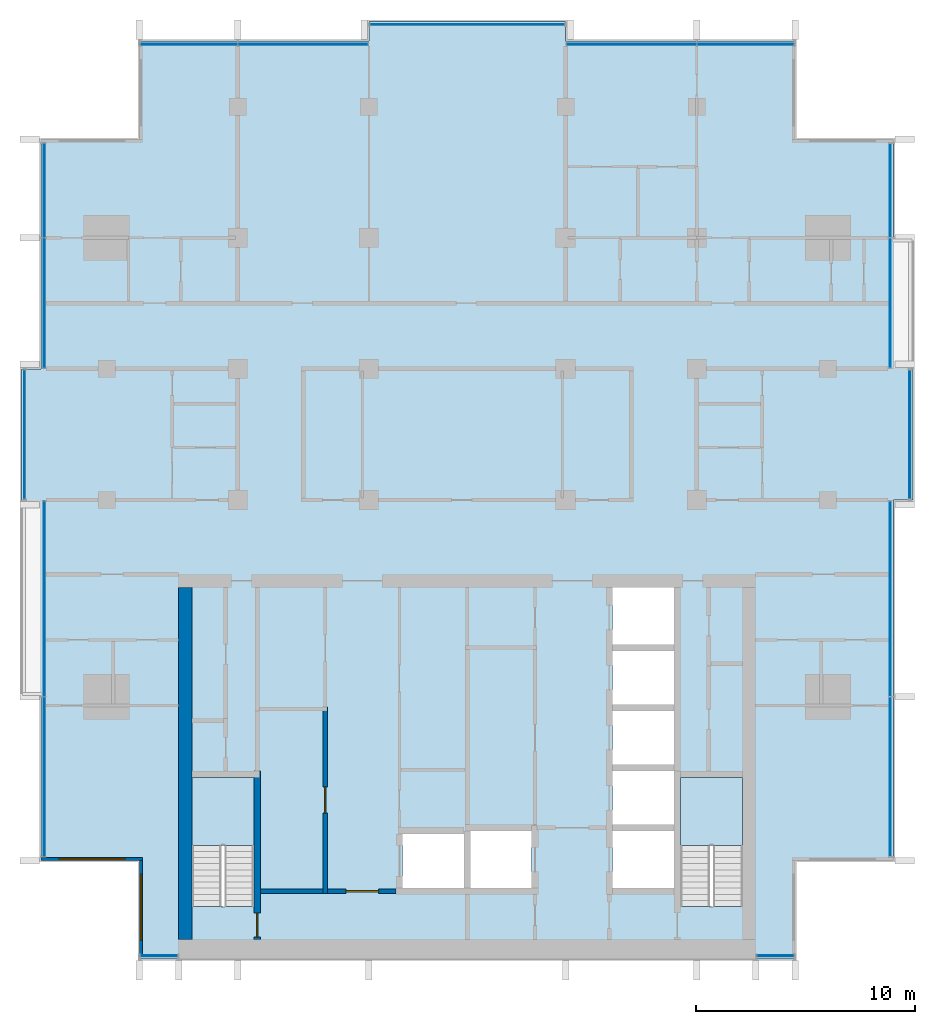
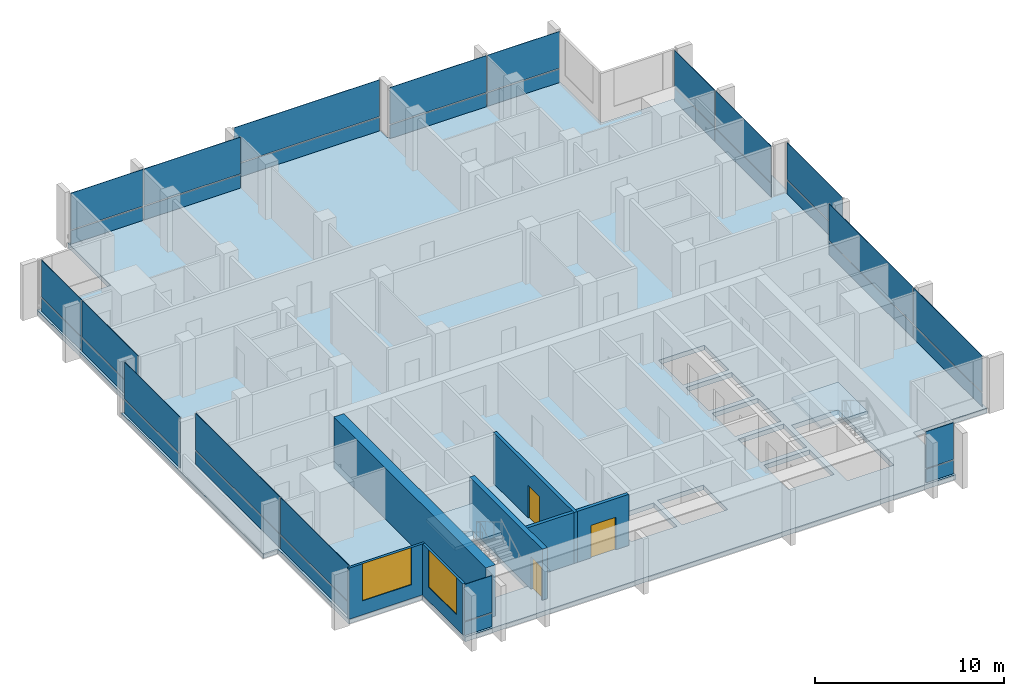
# One storey, part 6 of 16: 34 plates, 7 walls, 3 doors, 3 slabs, 2 windows, 5 openings, 13 elements without a shape of their own.
"""IFC4 building model written with IfcOpenShell, lengths in metres."""

from ifc_helpers import new_model, si_unit, direction, frame, frame_2d, origin, origin_2d, place, context, subcontext, project, spatial, polyline, rectangle, outline, extrude, material, layer, layer_set, type_object, element, fill, aggregate, save


model = new_model("IFC4")

# Units and contexts
model_context = context("Model", 3, precision=1e-05, world=origin(), true_north=direction((0.0, 1.0)))
body_context = subcontext(model_context, "Body", "Model", "MODEL_VIEW")
ifc_project = project(units=[si_unit("LENGTHUNIT", "METRE"), si_unit("AREAUNIT", "SQUARE_METRE"), si_unit("VOLUMEUNIT", "CUBIC_METRE"), si_unit("PLANEANGLEUNIT", "RADIAN"), si_unit("MASSUNIT", "GRAM", prefix="KILO")], contexts=[model_context])

# Site, building, storey
site_placement = place(None, origin())
site = spatial("IfcSite", under=ifc_project, at=site_placement, CompositionType="ELEMENT")
building_placement = place(site_placement, origin())
building = spatial("IfcBuilding", under=site, at=building_placement, Name="Finial Court Residences", CompositionType="ELEMENT")
storey_placement = place(building_placement, frame((0.0, 0.0, 212.300048828125)))
storey = spatial("IfcBuildingStorey", under=building, at=storey_placement, Name="L53", CompositionType="ELEMENT", Elevation=212.300048828125)

# Curtain wall, plates
ifc_material_1 = material(Name="Bronze anodised aluminium", Category="aluminium")
curtain_wall_type = type_object("IfcCurtainWallType", Name="Unitised curtain wall, upper zones", PredefinedType="NOTDEFINED", material=ifc_material_1)
curtain_wall_1_placement = place(storey_placement, origin())
curtain_wall_1 = element("IfcCurtainWall", 1, at=curtain_wall_1_placement, inside=storey, type_object=curtain_wall_type, Name="E-L53-CW-N1", PredefinedType="NOTDEFINED")
ifc_layer_1 = layer(ifc_material_1, 0.035888671875)
ifc_layer_set_1 = layer_set([ifc_layer_1], Name="CW2 spandrel panel 36")
plate_type_1 = type_object("IfcPlateType", Name="CW2 spandrel panel 36", PredefinedType="CURTAIN_PANEL", material=ifc_layer_set_1)
plate_1_placement = place(storey_placement, frame((-12.735107421875, 16.35009765625, 0.0), z_axis=(0.0, 0.0, 1.0), x_axis=(1.0, 0.0, 0.0)))
plate_1 = element("IfcPlate", 2, at=plate_1_placement, type_object=plate_type_1, Name="CW2 spandrel 1.1", PredefinedType="CURTAIN_PANEL", context=body_context, shape_type="SweptSolid", body=[
    extrude(rectangle(XDim=4.409912109375, YDim=0.035888671875, at=origin_2d()), origin(), (0.0, 0.0, 1.0), 0.8701171875),
])
plate_2_placement = place(storey_placement, frame((-7.514892578125, 16.35009765625, 0.0), z_axis=(0.0, 0.0, 1.0), x_axis=(1.0, 0.0, 0.0)))
plate_2 = element("IfcPlate", 3, at=plate_2_placement, type_object=plate_type_1, Name="CW2 spandrel 2.1", PredefinedType="CURTAIN_PANEL", context=body_context, shape_type="SweptSolid", body=[
    extrude(rectangle(XDim=5.909912109375, YDim=0.035888671875, at=origin_2d()), origin(), (0.0, 0.0, 1.0), 0.8701171875),
])

# Curtain wall, plate
curtain_wall_2_placement = place(storey_placement, origin())
curtain_wall_2 = element("IfcCurtainWall", 4, at=curtain_wall_2_placement, inside=storey, type_object=curtain_wall_type, Name="E-L53-CW-N2", PredefinedType="NOTDEFINED")
plate_3_placement = place(storey_placement, frame((0.0, 17.25, 0.0), z_axis=(0.0, 0.0, 1.0), x_axis=(1.0, 0.0, 0.0)))
plate_3 = element("IfcPlate", 5, at=plate_3_placement, type_object=plate_type_1, Name="CW2 spandrel 1.1", PredefinedType="CURTAIN_PANEL", context=body_context, shape_type="SweptSolid", body=[
    extrude(rectangle(XDim=8.8798828125, YDim=0.035888671875, at=origin_2d()), origin(), (0.0, 0.0, 1.0), 0.8701171875),
])

# Curtain wall, plates
curtain_wall_3_placement = place(storey_placement, origin())
curtain_wall_3 = element("IfcCurtainWall", 6, at=curtain_wall_3_placement, inside=storey, type_object=curtain_wall_type, Name="E-L53-CW-N3", PredefinedType="NOTDEFINED")
plate_4_placement = place(storey_placement, frame((7.514892578125, 16.35009765625, 0.0), z_axis=(0.0, 0.0, 1.0), x_axis=(1.0, 0.0, 0.0)))
plate_4 = element("IfcPlate", 7, at=plate_4_placement, type_object=plate_type_1, Name="CW2 spandrel 1.1", PredefinedType="CURTAIN_PANEL", context=body_context, shape_type="SweptSolid", body=[
    extrude(rectangle(XDim=5.909912109375, YDim=0.035888671875, at=origin_2d()), origin(), (0.0, 0.0, 1.0), 0.8701171875),
])
plate_5_placement = place(storey_placement, frame((12.735107421875, 16.35009765625, 0.0), z_axis=(0.0, 0.0, 1.0), x_axis=(1.0, 0.0, 0.0)))
plate_5 = element("IfcPlate", 8, at=plate_5_placement, type_object=plate_type_1, Name="CW2 spandrel 2.1", PredefinedType="CURTAIN_PANEL", context=body_context, shape_type="SweptSolid", body=[
    extrude(rectangle(XDim=4.409912109375, YDim=0.035888671875, at=origin_2d()), origin(), (0.0, 0.0, 1.0), 0.8701171875),
])

curtain_wall_4_placement = place(storey_placement, origin())
curtain_wall_4 = element("IfcCurtainWall", 9, at=curtain_wall_4_placement, inside=storey, type_object=curtain_wall_type, Name="E-L53-CW-E4", PredefinedType="NOTDEFINED")
plate_6_placement = place(storey_placement, frame((19.35009765625, -17.159912109375, 0.0), z_axis=(0.0, 0.0, 1.0), x_axis=(0.0, 1.0, 0.0)))
plate_6 = element("IfcPlate", 10, at=plate_6_placement, type_object=plate_type_1, Name="CW2 spandrel 1.1", PredefinedType="CURTAIN_PANEL", context=body_context, shape_type="SweptSolid", body=[
    extrude(rectangle(XDim=7.260009765625, YDim=0.035888671875, at=origin_2d()), origin(), (0.0, 0.0, 1.0), 0.8701171875),
])
plate_7_placement = place(storey_placement, frame((19.35009765625, -9.014892578125, 0.0), z_axis=(0.0, 0.0, 1.0), x_axis=(0.0, 1.0, 0.0)))
plate_7 = element("IfcPlate", 11, at=plate_7_placement, type_object=plate_type_1, Name="CW2 spandrel 2.1", PredefinedType="CURTAIN_PANEL", context=body_context, shape_type="SweptSolid", body=[
    extrude(rectangle(XDim=8.909912109375, YDim=0.035888671875, at=origin_2d()), origin(), (0.0, 0.0, 1.0), 0.8701171875),
])

# Curtain wall, plate
curtain_wall_5_placement = place(storey_placement, origin())
curtain_wall_5 = element("IfcCurtainWall", 12, at=curtain_wall_5_placement, inside=storey, type_object=curtain_wall_type, Name="E-L53-CW-E5", PredefinedType="NOTDEFINED")
plate_8_placement = place(storey_placement, frame((20.25, -1.5, 0.0), z_axis=(0.0, 0.0, 1.0), x_axis=(0.0, 1.0, 0.0)))
plate_8 = element("IfcPlate", 13, at=plate_8_placement, type_object=plate_type_1, Name="CW2 spandrel 1.1", PredefinedType="CURTAIN_PANEL", context=body_context, shape_type="SweptSolid", body=[
    extrude(rectangle(XDim=5.8798828125, YDim=0.035888671875, at=origin_2d()), origin(), (0.0, 0.0, 1.0), 0.8701171875),
])

# Curtain wall, plates
curtain_wall_6_placement = place(storey_placement, origin())
curtain_wall_6 = element("IfcCurtainWall", 14, at=curtain_wall_6_placement, inside=storey, type_object=curtain_wall_type, Name="E-L53-CW-E6", PredefinedType="NOTDEFINED")
plate_9_placement = place(storey_placement, frame((19.35009765625, 4.514892578125, 0.0), z_axis=(0.0, 0.0, 1.0), x_axis=(0.0, 1.0, 0.0)))
plate_9 = element("IfcPlate", 15, at=plate_9_placement, type_object=plate_type_1, Name="CW2 spandrel 1.1", PredefinedType="CURTAIN_PANEL", context=body_context, shape_type="SweptSolid", body=[
    extrude(rectangle(XDim=5.909912109375, YDim=0.035888671875, at=origin_2d()), origin(), (0.0, 0.0, 1.0), 0.8701171875),
])
plate_10_placement = place(storey_placement, frame((19.35009765625, 9.659912109375, 0.0), z_axis=(0.0, 0.0, 1.0), x_axis=(0.0, 1.0, 0.0)))
plate_10 = element("IfcPlate", 16, at=plate_10_placement, type_object=plate_type_1, Name="CW2 spandrel 2.1", PredefinedType="CURTAIN_PANEL", context=body_context, shape_type="SweptSolid", body=[
    extrude(rectangle(XDim=4.260009765625, YDim=0.035888671875, at=origin_2d()), origin(), (0.0, 0.0, 1.0), 0.8701171875),
])

# Curtain wall, plate
curtain_wall_7_placement = place(storey_placement, origin())
curtain_wall_7 = element("IfcCurtainWall", 17, at=curtain_wall_7_placement, inside=storey, type_object=curtain_wall_type, Name="E-L53-CW-S7", PredefinedType="NOTDEFINED")
plate_11_placement = place(storey_placement, frame((-14.10009765625, -25.35009765625, 0.0), z_axis=(0.0, 0.0, 1.0), x_axis=(1.0, 0.0, 0.0)))
plate_11 = element("IfcPlate", 18, at=plate_11_placement, type_object=plate_type_1, Name="CW2 spandrel 1.1", PredefinedType="CURTAIN_PANEL", context=body_context, shape_type="SweptSolid", body=[
    extrude(rectangle(XDim=1.679931640625, YDim=0.035888671875, at=origin_2d()), origin(), (0.0, 0.0, 1.0), 0.8701171875),
])

curtain_wall_8_placement = place(storey_placement, origin())
curtain_wall_8 = element("IfcCurtainWall", 19, at=curtain_wall_8_placement, inside=storey, type_object=curtain_wall_type, Name="E-L53-CW-S8", PredefinedType="NOTDEFINED")
plate_12_placement = place(storey_placement, frame((14.10009765625, -25.35009765625, 0.0), z_axis=(0.0, 0.0, 1.0), x_axis=(1.0, 0.0, 0.0)))
plate_12 = element("IfcPlate", 20, at=plate_12_placement, type_object=plate_type_1, Name="CW2 spandrel 1.1", PredefinedType="CURTAIN_PANEL", context=body_context, shape_type="SweptSolid", body=[
    extrude(rectangle(XDim=1.679931640625, YDim=0.035888671875, at=origin_2d()), origin(), (0.0, 0.0, 1.0), 0.8701171875),
])

# Curtain wall, plates
curtain_wall_9_placement = place(storey_placement, origin())
curtain_wall_9 = element("IfcCurtainWall", 21, at=curtain_wall_9_placement, inside=storey, type_object=curtain_wall_type, Name="E-L53-CW-W9", PredefinedType="NOTDEFINED")
plate_13_placement = place(storey_placement, frame((-19.35009765625, -17.159912109375, 0.0), z_axis=(0.0, 0.0, 1.0), x_axis=(0.0, 1.0, 0.0)))
plate_13 = element("IfcPlate", 22, at=plate_13_placement, type_object=plate_type_1, Name="CW2 spandrel 1.1", PredefinedType="CURTAIN_PANEL", context=body_context, shape_type="SweptSolid", body=[
    extrude(rectangle(XDim=7.260009765625, YDim=0.035888671875, at=origin_2d()), origin(), (0.0, 0.0, 1.0), 0.8701171875),
])
plate_14_placement = place(storey_placement, frame((-19.35009765625, -9.014892578125, 0.0), z_axis=(0.0, 0.0, 1.0), x_axis=(0.0, 1.0, 0.0)))
plate_14 = element("IfcPlate", 23, at=plate_14_placement, type_object=plate_type_1, Name="CW2 spandrel 2.1", PredefinedType="CURTAIN_PANEL", context=body_context, shape_type="SweptSolid", body=[
    extrude(rectangle(XDim=8.909912109375, YDim=0.035888671875, at=origin_2d()), origin(), (0.0, 0.0, 1.0), 0.8701171875),
])

# Curtain wall, plate
curtain_wall_10_placement = place(storey_placement, origin())
curtain_wall_10 = element("IfcCurtainWall", 24, at=curtain_wall_10_placement, inside=storey, type_object=curtain_wall_type, Name="E-L53-CW-W10", PredefinedType="NOTDEFINED")
plate_15_placement = place(storey_placement, frame((-20.25, -1.5, 0.0), z_axis=(0.0, 0.0, 1.0), x_axis=(0.0, 1.0, 0.0)))
plate_15 = element("IfcPlate", 25, at=plate_15_placement, type_object=plate_type_1, Name="CW2 spandrel 1.1", PredefinedType="CURTAIN_PANEL", context=body_context, shape_type="SweptSolid", body=[
    extrude(rectangle(XDim=5.8798828125, YDim=0.035888671875, at=origin_2d()), origin(), (0.0, 0.0, 1.0), 0.8701171875),
])

# Curtain wall, plates
curtain_wall_11_placement = place(storey_placement, origin())
curtain_wall_11 = element("IfcCurtainWall", 26, at=curtain_wall_11_placement, inside=storey, type_object=curtain_wall_type, Name="E-L53-CW-W11", PredefinedType="NOTDEFINED")
plate_16_placement = place(storey_placement, frame((-19.35009765625, 4.514892578125, 0.0), z_axis=(0.0, 0.0, 1.0), x_axis=(0.0, 1.0, 0.0)))
plate_16 = element("IfcPlate", 27, at=plate_16_placement, type_object=plate_type_1, Name="CW2 spandrel 1.1", PredefinedType="CURTAIN_PANEL", context=body_context, shape_type="SweptSolid", body=[
    extrude(rectangle(XDim=5.909912109375, YDim=0.035888671875, at=origin_2d()), origin(), (0.0, 0.0, 1.0), 0.8701171875),
])
plate_17_placement = place(storey_placement, frame((-19.35009765625, 9.659912109375, 0.0), z_axis=(0.0, 0.0, 1.0), x_axis=(0.0, 1.0, 0.0)))
plate_17 = element("IfcPlate", 28, at=plate_17_placement, type_object=plate_type_1, Name="CW2 spandrel 2.1", PredefinedType="CURTAIN_PANEL", context=body_context, shape_type="SweptSolid", body=[
    extrude(rectangle(XDim=4.260009765625, YDim=0.035888671875, at=origin_2d()), origin(), (0.0, 0.0, 1.0), 0.8701171875),
])

# Plate
ifc_material_2 = material(Name="Clear low-e glass", Category="glass")
ifc_layer_2 = layer(ifc_material_2, 0.030029296875)
ifc_layer_set_2 = layer_set([ifc_layer_2], Name="CW2 vision glass 30")
plate_type_2 = type_object("IfcPlateType", Name="CW2 vision glass 30", PredefinedType="CURTAIN_PANEL", material=ifc_layer_set_2)
plate_18_placement = place(storey_placement, frame((-12.735107421875, 16.35009765625, 0.929931640625), z_axis=(0.0, 0.0, 1.0), x_axis=(1.0, 0.0, 0.0)))
plate_18 = element("IfcPlate", 29, at=plate_18_placement, type_object=plate_type_2, Name="CW2 glass 1.2", PredefinedType="CURTAIN_PANEL", context=body_context, shape_type="SweptSolid", body=[
    extrude(rectangle(XDim=4.409912109375, YDim=0.030029296875, at=origin_2d()), origin(), (0.0, 0.0, 1.0), 2.3701171875),
])

plate_19_placement = place(storey_placement, frame((-7.514892578125, 16.35009765625, 0.929931640625), z_axis=(0.0, 0.0, 1.0), x_axis=(1.0, 0.0, 0.0)))
plate_19 = element("IfcPlate", 30, at=plate_19_placement, type_object=plate_type_2, Name="CW2 glass 2.2", PredefinedType="CURTAIN_PANEL", context=body_context, shape_type="SweptSolid", body=[
    extrude(rectangle(XDim=5.909912109375, YDim=0.030029296875, at=origin_2d()), origin(), (0.0, 0.0, 1.0), 2.3701171875),
])

aggregate(curtain_wall_1, [plate_1, plate_18, plate_2, plate_19])

plate_20_placement = place(storey_placement, frame((0.0, 17.25, 0.929931640625), z_axis=(0.0, 0.0, 1.0), x_axis=(1.0, 0.0, 0.0)))
plate_20 = element("IfcPlate", 31, at=plate_20_placement, type_object=plate_type_2, Name="CW2 glass 1.2", PredefinedType="CURTAIN_PANEL", context=body_context, shape_type="SweptSolid", body=[
    extrude(rectangle(XDim=8.8798828125, YDim=0.030029296875, at=origin_2d()), origin(), (0.0, 0.0, 1.0), 2.3701171875),
])

aggregate(curtain_wall_2, [plate_3, plate_20])

plate_21_placement = place(storey_placement, frame((7.514892578125, 16.35009765625, 0.929931640625), z_axis=(0.0, 0.0, 1.0), x_axis=(1.0, 0.0, 0.0)))
plate_21 = element("IfcPlate", 32, at=plate_21_placement, type_object=plate_type_2, Name="CW2 glass 1.2", PredefinedType="CURTAIN_PANEL", context=body_context, shape_type="SweptSolid", body=[
    extrude(rectangle(XDim=5.909912109375, YDim=0.030029296875, at=origin_2d()), origin(), (0.0, 0.0, 1.0), 2.3701171875),
])

plate_22_placement = place(storey_placement, frame((12.735107421875, 16.35009765625, 0.929931640625), z_axis=(0.0, 0.0, 1.0), x_axis=(1.0, 0.0, 0.0)))
plate_22 = element("IfcPlate", 33, at=plate_22_placement, type_object=plate_type_2, Name="CW2 glass 2.2", PredefinedType="CURTAIN_PANEL", context=body_context, shape_type="SweptSolid", body=[
    extrude(rectangle(XDim=4.409912109375, YDim=0.030029296875, at=origin_2d()), origin(), (0.0, 0.0, 1.0), 2.3701171875),
])

aggregate(curtain_wall_3, [plate_4, plate_21, plate_5, plate_22])

plate_23_placement = place(storey_placement, frame((19.35009765625, -17.159912109375, 0.929931640625), z_axis=(0.0, 0.0, 1.0), x_axis=(0.0, 1.0, 0.0)))
plate_23 = element("IfcPlate", 34, at=plate_23_placement, type_object=plate_type_2, Name="CW2 glass 1.2", PredefinedType="CURTAIN_PANEL", context=body_context, shape_type="SweptSolid", body=[
    extrude(rectangle(XDim=7.260009765625, YDim=0.030029296875, at=origin_2d()), origin(), (0.0, 0.0, 1.0), 2.3701171875),
])

plate_24_placement = place(storey_placement, frame((19.35009765625, -9.014892578125, 0.929931640625), z_axis=(0.0, 0.0, 1.0), x_axis=(0.0, 1.0, 0.0)))
plate_24 = element("IfcPlate", 35, at=plate_24_placement, type_object=plate_type_2, Name="CW2 glass 2.2", PredefinedType="CURTAIN_PANEL", context=body_context, shape_type="SweptSolid", body=[
    extrude(rectangle(XDim=8.909912109375, YDim=0.030029296875, at=origin_2d()), origin(), (0.0, 0.0, 1.0), 2.3701171875),
])

aggregate(curtain_wall_4, [plate_6, plate_23, plate_7, plate_24])

plate_25_placement = place(storey_placement, frame((20.25, -1.5, 0.929931640625), z_axis=(0.0, 0.0, 1.0), x_axis=(0.0, 1.0, 0.0)))
plate_25 = element("IfcPlate", 36, at=plate_25_placement, type_object=plate_type_2, Name="CW2 glass 1.2", PredefinedType="CURTAIN_PANEL", context=body_context, shape_type="SweptSolid", body=[
    extrude(rectangle(XDim=5.8798828125, YDim=0.030029296875, at=origin_2d()), origin(), (0.0, 0.0, 1.0), 2.3701171875),
])

aggregate(curtain_wall_5, [plate_8, plate_25])

plate_26_placement = place(storey_placement, frame((19.35009765625, 4.514892578125, 0.929931640625), z_axis=(0.0, 0.0, 1.0), x_axis=(0.0, 1.0, 0.0)))
plate_26 = element("IfcPlate", 37, at=plate_26_placement, type_object=plate_type_2, Name="CW2 glass 1.2", PredefinedType="CURTAIN_PANEL", context=body_context, shape_type="SweptSolid", body=[
    extrude(rectangle(XDim=5.909912109375, YDim=0.030029296875, at=origin_2d()), origin(), (0.0, 0.0, 1.0), 2.3701171875),
])

plate_27_placement = place(storey_placement, frame((19.35009765625, 9.659912109375, 0.929931640625), z_axis=(0.0, 0.0, 1.0), x_axis=(0.0, 1.0, 0.0)))
plate_27 = element("IfcPlate", 38, at=plate_27_placement, type_object=plate_type_2, Name="CW2 glass 2.2", PredefinedType="CURTAIN_PANEL", context=body_context, shape_type="SweptSolid", body=[
    extrude(rectangle(XDim=4.260009765625, YDim=0.030029296875, at=origin_2d()), origin(), (0.0, 0.0, 1.0), 2.3701171875),
])

aggregate(curtain_wall_6, [plate_9, plate_26, plate_10, plate_27])

plate_28_placement = place(storey_placement, frame((-14.10009765625, -25.35009765625, 0.929931640625), z_axis=(0.0, 0.0, 1.0), x_axis=(1.0, 0.0, 0.0)))
plate_28 = element("IfcPlate", 39, at=plate_28_placement, type_object=plate_type_2, Name="CW2 glass 1.2", PredefinedType="CURTAIN_PANEL", context=body_context, shape_type="SweptSolid", body=[
    extrude(rectangle(XDim=1.679931640625, YDim=0.030029296875, at=origin_2d()), origin(), (0.0, 0.0, 1.0), 2.3701171875),
])

aggregate(curtain_wall_7, [plate_11, plate_28])

plate_29_placement = place(storey_placement, frame((14.10009765625, -25.35009765625, 0.929931640625), z_axis=(0.0, 0.0, 1.0), x_axis=(1.0, 0.0, 0.0)))
plate_29 = element("IfcPlate", 40, at=plate_29_placement, type_object=plate_type_2, Name="CW2 glass 1.2", PredefinedType="CURTAIN_PANEL", context=body_context, shape_type="SweptSolid", body=[
    extrude(rectangle(XDim=1.679931640625, YDim=0.030029296875, at=origin_2d()), origin(), (0.0, 0.0, 1.0), 2.3701171875),
])

aggregate(curtain_wall_8, [plate_12, plate_29])

plate_30_placement = place(storey_placement, frame((-19.35009765625, -17.159912109375, 0.929931640625), z_axis=(0.0, 0.0, 1.0), x_axis=(0.0, 1.0, 0.0)))
plate_30 = element("IfcPlate", 41, at=plate_30_placement, type_object=plate_type_2, Name="CW2 glass 1.2", PredefinedType="CURTAIN_PANEL", context=body_context, shape_type="SweptSolid", body=[
    extrude(rectangle(XDim=7.260009765625, YDim=0.030029296875, at=origin_2d()), origin(), (0.0, 0.0, 1.0), 2.3701171875),
])

plate_31_placement = place(storey_placement, frame((-19.35009765625, -9.014892578125, 0.929931640625), z_axis=(0.0, 0.0, 1.0), x_axis=(0.0, 1.0, 0.0)))
plate_31 = element("IfcPlate", 42, at=plate_31_placement, type_object=plate_type_2, Name="CW2 glass 2.2", PredefinedType="CURTAIN_PANEL", context=body_context, shape_type="SweptSolid", body=[
    extrude(rectangle(XDim=8.909912109375, YDim=0.030029296875, at=origin_2d()), origin(), (0.0, 0.0, 1.0), 2.3701171875),
])

aggregate(curtain_wall_9, [plate_13, plate_30, plate_14, plate_31])

plate_32_placement = place(storey_placement, frame((-20.25, -1.5, 0.929931640625), z_axis=(0.0, 0.0, 1.0), x_axis=(0.0, 1.0, 0.0)))
plate_32 = element("IfcPlate", 43, at=plate_32_placement, type_object=plate_type_2, Name="CW2 glass 1.2", PredefinedType="CURTAIN_PANEL", context=body_context, shape_type="SweptSolid", body=[
    extrude(rectangle(XDim=5.8798828125, YDim=0.030029296875, at=origin_2d()), origin(), (0.0, 0.0, 1.0), 2.3701171875),
])

aggregate(curtain_wall_10, [plate_15, plate_32])

plate_33_placement = place(storey_placement, frame((-19.35009765625, 4.514892578125, 0.929931640625), z_axis=(0.0, 0.0, 1.0), x_axis=(0.0, 1.0, 0.0)))
plate_33 = element("IfcPlate", 44, at=plate_33_placement, type_object=plate_type_2, Name="CW2 glass 1.2", PredefinedType="CURTAIN_PANEL", context=body_context, shape_type="SweptSolid", body=[
    extrude(rectangle(XDim=5.909912109375, YDim=0.030029296875, at=origin_2d()), origin(), (0.0, 0.0, 1.0), 2.3701171875),
])

plate_34_placement = place(storey_placement, frame((-19.35009765625, 9.659912109375, 0.929931640625), z_axis=(0.0, 0.0, 1.0), x_axis=(0.0, 1.0, 0.0)))
plate_34 = element("IfcPlate", 45, at=plate_34_placement, type_object=plate_type_2, Name="CW2 glass 2.2", PredefinedType="CURTAIN_PANEL", context=body_context, shape_type="SweptSolid", body=[
    extrude(rectangle(XDim=4.260009765625, YDim=0.030029296875, at=origin_2d()), origin(), (0.0, 0.0, 1.0), 2.3701171875),
])

aggregate(curtain_wall_11, [plate_16, plate_33, plate_17, plate_34])

# Stair, slab
ifc_material_3 = material(Name="Concrete C50/60", Category="concrete")
stair_type = type_object("IfcStairType", Name="Exit stair 22 risers of 163.6 mm", PredefinedType="HALF_TURN_STAIR", material=ifc_material_3)
stair_1_placement = place(storey_placement, origin())
stair_1 = element("IfcStair", 46, at=stair_1_placement, inside=storey, type_object=stair_type, Name="L53 Exit stair ST-1", PredefinedType="HALF_TURN_STAIR")
ifc_layer_3 = layer(ifc_material_3, 0.199951171875)
ifc_layer_set_3 = layer_set([ifc_layer_3], Name="Exit stair landing")
slab_type_1 = type_object("IfcSlabType", Name="Exit stair landing", PredefinedType="LANDING", material=ifc_layer_set_3)
slab_1_placement = place(storey_placement, frame((0.0, 0.0, 1.599853515625)))
slab_1 = element("IfcSlab", 47, at=slab_1_placement, type_object=slab_type_1, Name="ST-1 landing 1", PredefinedType="LANDING", context=body_context, shape_type="SweptSolid", body=[
    extrude(outline(polyline([(-9.75, -20.300048828125), (-9.75, -17.199951171875), (-12.60009765625, -17.199951171875), (-12.60009765625, -20.300048828125), (-9.75, -20.300048828125)])), origin(), (0.0, 0.0, 1.0), 0.2001953125),
])
aggregate(stair_1, [slab_1])

stair_2_placement = place(storey_placement, origin())
stair_2 = element("IfcStair", 48, at=stair_2_placement, inside=storey, type_object=stair_type, Name="L53 Exit stair ST-2", PredefinedType="HALF_TURN_STAIR")
slab_2_placement = place(storey_placement, frame((0.0, 0.0, 1.599853515625)))
slab_2 = element("IfcSlab", 49, at=slab_2_placement, type_object=slab_type_1, Name="ST-2 landing 1", PredefinedType="LANDING", context=body_context, shape_type="SweptSolid", body=[
    extrude(outline(polyline([(12.60009765625, -20.300048828125), (12.60009765625, -17.199951171875), (9.75, -17.199951171875), (9.75, -20.300048828125), (12.60009765625, -20.300048828125)])), origin(), (0.0, 0.0, 1.0), 0.2001953125),
])
aggregate(stair_2, [slab_2])

# Slab
ifc_material_4 = material(Name="Concrete C40/50", Category="concrete")
ifc_layer_4 = layer(ifc_material_4, 0.300048828125)
ifc_layer_set_4 = layer_set([ifc_layer_4], Name="Flat plate slab 300 Concrete C40/50")
slab_type_2 = type_object("IfcSlabType", Name="Flat plate slab 300 Concrete C40/50", PredefinedType="FLOOR", material=ifc_layer_set_4)
slab_3_placement = place(storey_placement, frame((0.0, 0.0, -0.300048828125)))
element("IfcSlab", 50, at=slab_3_placement, inside=storey, type_object=slab_type_2, Name="S:SLAB:L53", PredefinedType="FLOOR", context=body_context, shape_type="SweptSolid", body=[
    extrude(outline(polyline([(-20.39990234375, -13.5), (-20.39990234375, -4.5), (-20.39990234375, 1.5), (-19.5, 1.5), (-19.5, 12.0), (-15.0, 12.0), (-15.0, 16.5), (-4.5, 16.5), (-4.5, 17.39990234375), (4.5, 17.39990234375), (4.5, 16.5), (15.0, 16.5), (15.0, 12.0), (19.5, 12.0), (19.5, 7.5), (20.39990234375, 7.5), (20.39990234375, 1.5), (20.39990234375, -4.5), (19.5, -4.5), (19.5, -21.0), (15.0, -21.0), (15.0, -25.5), (-15.0, -25.5), (-15.0, -21.0), (-19.5, -21.0), (-19.5, -13.5), (-20.39990234375, -13.5)]), holes=[polyline([(-0.14990234375, -19.77001953125), (-2.949951171875, -19.77001953125), (-2.949951171875, -22.25), (-0.14990234375, -22.25), (-0.14990234375, -19.77001953125)]), polyline([(2.949951171875, -19.64990234375), (0.14990234375, -19.64990234375), (0.14990234375, -22.25), (2.949951171875, -22.25), (2.949951171875, -19.64990234375)]), polyline([(9.449951171875, -19.64990234375), (6.64990234375, -19.64990234375), (6.64990234375, -22.25), (9.449951171875, -22.25), (9.449951171875, -19.64990234375)]), polyline([(-12.60009765625, -17.199951171875), (-12.60009765625, -23.09912109375), (-9.75, -23.09912109375), (-9.75, -17.199951171875), (-12.60009765625, -17.199951171875)]), polyline([(9.75, -17.199951171875), (9.75, -23.09912109375), (12.60009765625, -23.09912109375), (12.60009765625, -17.199951171875), (9.75, -17.199951171875)]), polyline([(9.449951171875, -16.89990234375), (6.64990234375, -16.89990234375), (6.64990234375, -19.35009765625), (9.449951171875, -19.35009765625), (9.449951171875, -16.89990234375)]), polyline([(9.449951171875, -14.14990234375), (6.64990234375, -14.14990234375), (6.64990234375, -16.60009765625), (9.449951171875, -16.60009765625), (9.449951171875, -14.14990234375)]), polyline([(9.449951171875, -13.85009765625), (9.449951171875, -11.39990234375), (6.64990234375, -11.39990234375), (6.64990234375, -13.85009765625), (9.449951171875, -13.85009765625)]), polyline([(9.449951171875, -11.10009765625), (9.449951171875, -8.5), (6.64990234375, -8.5), (6.64990234375, -11.10009765625), (9.449951171875, -11.10009765625)])]), origin(), (0.0, 0.0, 1.0), 0.300048828125),
])

# Wall
ifc_material_5 = material(Name="Concrete C60/75", Category="concrete")
ifc_layer_5 = layer(ifc_material_5, 0.60009765625)
ifc_layer_set_5 = layer_set([ifc_layer_5], Name="Core outer wall 600 Concrete C60/75")
wall_type_1 = type_object("IfcWallType", Name="Core outer wall 600 Concrete C60/75", PredefinedType="SHEAR", material=ifc_layer_set_5)
wall_1_placement = place(storey_placement, frame((-12.89990234375, -24.60009765625, 0.0), z_axis=(0.0, 0.0, 1.0), x_axis=(0.0, 1.0, 0.0)))
element("IfcWall", 51, at=wall_1_placement, inside=storey, type_object=wall_type_1, Name="Core outer wall L53-03", PredefinedType="SHEAR", context=body_context, shape_type="SweptSolid", body=[
    extrude(rectangle(XDim=16.10009765625, YDim=0.60009765625, at=frame_2d((8.050048828125, 0.0))), origin(), (0.0, 0.0, 1.0), 3.300048828125),
])

# Wall, opening, door
ifc_layer_6 = layer(ifc_material_5, 0.300048828125)
ifc_layer_set_6 = layer_set([ifc_layer_6], Name="Lift shaft and stair wall 300 Concrete C60/75")
wall_type_2 = type_object("IfcWallType", Name="Lift shaft and stair wall 300 Concrete C60/75", PredefinedType="SHEAR", material=ifc_layer_set_6)
wall_2_placement = place(storey_placement, frame((-9.60009765625, -24.60009765625, 0.0), z_axis=(0.0, 0.0, 1.0), x_axis=(0.0, 1.0, 0.0)))
wall_2 = element("IfcWall", 52, at=wall_2_placement, inside=storey, type_object=wall_type_2, Name="Core wall L53-21", PredefinedType="SHEAR", context=body_context, shape_type="SweptSolid", body=[
    extrude(rectangle(XDim=7.7001953125, YDim=0.300048828125, at=frame_2d((3.85009765625, 0.0))), origin(), (0.0, 0.0, 1.0), 3.300048828125),
])
opening_1_placement = place(wall_2_placement, frame((0.10009765625, 0.0, 0.0)))
opening_1 = element("IfcOpeningElement", 53, at=opening_1_placement, cuts=wall_2, Name="Opening L53-C19", PredefinedType="OPENING", context=body_context, shape_type="SweptSolid", body=[
    extrude(rectangle(XDim=1.10009765625, YDim=2.10009765625, at=frame_2d((0.550048828125, 1.050048828125))), frame((0.0, 0.159912109375, 0.0), z_axis=(0.0, -1.0, 0.0), x_axis=(1.0, 0.0, 0.0)), (0.0, 0.0, 1.0), 0.320068359375),
])
ifc_material_6 = material(Name="Steel fire door", Category="steel")
door_type_1 = type_object("IfcDoorType", Name="Stair door 1100 x 2100 EI 90", OperationType="NOTDEFINED", PredefinedType="DOOR", material=ifc_material_6)
door_1_placement = place(opening_1_placement, origin())
door_1 = element("IfcDoor", 54, at=door_1_placement, inside=storey, type_object=door_type_1, Name="Stair door L53-C19", OperationType="SINGLE_SWING_LEFT", OverallHeight=2.10009765625, OverallWidth=1.10009765625, PredefinedType="DOOR", context=body_context, shape_type="SweptSolid", body=[
    extrude(rectangle(XDim=1.10009765625, YDim=2.10009765625, at=frame_2d((0.550048828125, 1.050048828125))), frame((0.0, 0.02490234375, 0.0), z_axis=(0.0, -1.0, 0.0), x_axis=(1.0, 0.0, 0.0)), (0.0, 0.0, 1.0), 0.050048828125),
])
fill(opening_1, door_1)

# Wall, opening, window
ifc_material_7 = material(Name="Natural limestone", Category="masonry")
ifc_layer_7 = layer(ifc_material_7, 0.14990234375)
ifc_layer_set_7 = layer_set([ifc_layer_7], Name="Limestone clad wall 150")
wall_type_3 = type_object("IfcWallType", Name="Limestone clad wall 150", PredefinedType="SOLIDWALL", material=ifc_layer_set_7)
wall_3_placement = place(storey_placement, frame((-14.925048828125, -25.262451171875, 0.0), z_axis=(0.0, 0.0, 1.0), x_axis=(0.0, 1.0, 0.0)))
wall_3 = element("IfcWall", 55, at=wall_3_placement, inside=storey, type_object=wall_type_3, Name="E-L53-NWW12", PredefinedType="SOLIDWALL", context=body_context, shape_type="SweptSolid", body=[
    extrude(rectangle(XDim=4.262451171875, YDim=0.14990234375, at=frame_2d((2.13134765625, 0.0))), origin(), (0.0, 0.0, 1.0), 3.300048828125),
])
opening_2_placement = place(wall_3_placement, frame((0.631103515625, 0.0, 0.89990234375)))
opening_2 = element("IfcOpeningElement", 56, at=opening_2_placement, cuts=wall_3, Name="Opening WE53-01", PredefinedType="OPENING", context=body_context, shape_type="SweptSolid", body=[
    extrude(rectangle(XDim=3.0, YDim=2.39990234375, at=frame_2d((1.5, 1.199951171875))), frame((0.0, 0.0849609375, 0.0), z_axis=(0.0, -1.0, 0.0), x_axis=(1.0, 0.0, 0.0)), (0.0, 0.0, 1.0), 0.169921875),
])
window_type = type_object("IfcWindowType", Name="Corner window 3000 x 2400", PartitioningType="SINGLE_PANEL", PredefinedType="WINDOW", material=ifc_material_2)
window_1_placement = place(opening_2_placement, origin())
window_1 = element("IfcWindow", 57, at=window_1_placement, inside=storey, type_object=window_type, Name="E-L53-NWW12-W1", OverallHeight=2.39990234375, OverallWidth=3.0, PartitioningType="SINGLE_PANEL", PredefinedType="WINDOW", context=body_context, shape_type="SweptSolid", body=[
    extrude(rectangle(XDim=3.0, YDim=2.39990234375, at=frame_2d((1.5, 1.199951171875))), frame((0.0, 0.030029296875, 0.0), z_axis=(0.0, -1.0, 0.0), x_axis=(1.0, 0.0, 0.0)), (0.0, 0.0, 1.0), 0.06005859375),
])
fill(opening_2, window_1)

wall_4_placement = place(storey_placement, frame((-14.85009765625, -20.925048828125, 0.0), z_axis=(0.0, 0.0, 1.0), x_axis=(-1.0, 0.0, 0.0)))
wall_4 = element("IfcWall", 58, at=wall_4_placement, inside=storey, type_object=wall_type_3, Name="E-L53-NWS13", PredefinedType="SOLIDWALL", context=body_context, shape_type="SweptSolid", body=[
    extrude(rectangle(XDim=4.64990234375, YDim=0.14990234375, at=frame_2d((2.324951171875, 0.0))), origin(), (0.0, 0.0, 1.0), 3.300048828125),
])
opening_3_placement = place(wall_4_placement, frame((0.824951171875, 0.0, 0.89990234375)))
opening_3 = element("IfcOpeningElement", 59, at=opening_3_placement, cuts=wall_4, Name="Opening WE53-02", PredefinedType="OPENING", context=body_context, shape_type="SweptSolid", body=[
    extrude(rectangle(XDim=3.0, YDim=2.39990234375, at=frame_2d((1.5, 1.199951171875))), frame((0.0, 0.0849609375, 0.0), z_axis=(0.0, -1.0, 0.0), x_axis=(1.0, 0.0, 0.0)), (0.0, 0.0, 1.0), 0.169921875),
])
window_2_placement = place(opening_3_placement, origin())
window_2 = element("IfcWindow", 60, at=window_2_placement, inside=storey, type_object=window_type, Name="E-L53-NWS13-W1", OverallHeight=2.39990234375, OverallWidth=3.0, PartitioningType="SINGLE_PANEL", PredefinedType="WINDOW", context=body_context, shape_type="SweptSolid", body=[
    extrude(rectangle(XDim=3.0, YDim=2.39990234375, at=frame_2d((1.5, 1.199951171875))), frame((0.0, 0.030029296875, 0.0), z_axis=(0.0, -1.0, 0.0), x_axis=(1.0, 0.0, 0.0)), (0.0, 0.0, 1.0), 0.06005859375),
])
fill(opening_3, window_2)

# Wall
ifc_material_8 = material(Name="Fire-rated gypsum board partition")
ifc_layer_8 = layer(ifc_material_8, 0.199951171875)
ifc_layer_set_8 = layer_set([ifc_layer_8], Name="Riser room wall 200 EI 120")
wall_type_4 = type_object("IfcWallType", Name="Riser room wall 200 EI 120", PredefinedType="PARTITIONING", material=ifc_layer_set_8)
wall_5_placement = place(storey_placement, frame((-9.449951171875, -22.39990234375, 0.0), z_axis=(0.0, 0.0, 1.0), x_axis=(1.0, 0.0, 0.0)))
element("IfcWall", 61, at=wall_5_placement, inside=storey, type_object=wall_type_4, Name="Core partition L53-01", PredefinedType="PARTITIONING", context=body_context, shape_type="SweptSolid", body=[
    extrude(rectangle(XDim=2.849853515625, YDim=0.199951171875, at=frame_2d((1.4248046875, 0.0))), origin(), (0.0, 0.0, 1.0), 3.300048828125),
])

# Wall, opening, door
wall_6_placement = place(storey_placement, frame((-6.5, -22.5, 0.0), z_axis=(0.0, 0.0, 1.0), x_axis=(0.0, 1.0, 0.0)))
wall_6 = element("IfcWall", 62, at=wall_6_placement, inside=storey, type_object=wall_type_4, Name="Core partition L53-24", PredefinedType="PARTITIONING", context=body_context, shape_type="SweptSolid", body=[
    extrude(rectangle(XDim=8.5400390625, YDim=0.199951171875, at=frame_2d((4.27001953125, 0.0))), origin(), (0.0, 0.0, 1.0), 3.300048828125),
])
opening_4_placement = place(wall_6_placement, frame((3.669921875, 0.0, 0.0)))
opening_4 = element("IfcOpeningElement", 63, at=opening_4_placement, cuts=wall_6, Name="Opening L53-C09", PredefinedType="OPENING", context=body_context, shape_type="SweptSolid", body=[
    extrude(rectangle(XDim=1.199951171875, YDim=2.10009765625, at=frame_2d((0.60009765625, 1.050048828125))), frame((0.0, 0.10986328125, 0.0), z_axis=(0.0, -1.0, 0.0), x_axis=(1.0, 0.0, 0.0)), (0.0, 0.0, 1.0), 0.219970703125),
])
door_type_2 = type_object("IfcDoorType", Name="Riser room door 1200 x 2100 EI 90", OperationType="NOTDEFINED", PredefinedType="DOOR", material=ifc_material_6)
door_2_placement = place(opening_4_placement, origin())
door_2 = element("IfcDoor", 64, at=door_2_placement, inside=storey, type_object=door_type_2, Name="Riser room door L53-C09", OperationType="SINGLE_SWING_LEFT", OverallHeight=2.10009765625, OverallWidth=1.199951171875, PredefinedType="DOOR", context=body_context, shape_type="SweptSolid", body=[
    extrude(rectangle(XDim=1.199951171875, YDim=2.10009765625, at=frame_2d((0.60009765625, 1.050048828125))), frame((0.0, 0.02490234375, 0.0), z_axis=(0.0, -1.0, 0.0), x_axis=(1.0, 0.0, 0.0)), (0.0, 0.0, 1.0), 0.050048828125),
])
fill(opening_4, door_2)

ifc_layer_9 = layer(ifc_material_8, 0.199951171875)
ifc_layer_set_9 = layer_set([ifc_layer_9], Name="Stair passage wall 200 EI 180")
wall_type_5 = type_object("IfcWallType", Name="Stair passage wall 200 EI 180", PredefinedType="PARTITIONING", material=ifc_layer_set_9)
wall_7_placement = place(storey_placement, frame((-3.25, -22.39990234375, 0.0), z_axis=(0.0, 0.0, 1.0), x_axis=(-1.0, 0.0, 0.0)))
wall_7 = element("IfcWall", 65, at=wall_7_placement, inside=storey, type_object=wall_type_5, Name="Core partition L53-02", PredefinedType="PARTITIONING", context=body_context, shape_type="SweptSolid", body=[
    extrude(rectangle(XDim=3.14990234375, YDim=0.199951171875, at=frame_2d((1.574951171875, 0.0))), origin(), (0.0, 0.0, 1.0), 3.300048828125),
])
opening_5_placement = place(wall_7_placement, frame((0.800048828125, 0.0, 0.0)))
opening_5 = element("IfcOpeningElement", 66, at=opening_5_placement, cuts=wall_7, Name="Opening L53-C03", PredefinedType="OPENING", context=body_context, shape_type="SweptSolid", body=[
    extrude(rectangle(XDim=1.5, YDim=2.10009765625, at=frame_2d((0.75, 1.050048828125))), frame((0.0, 0.10986328125, 0.0), z_axis=(0.0, -1.0, 0.0), x_axis=(1.0, 0.0, 0.0)), (0.0, 0.0, 1.0), 0.219970703125),
])
door_type_3 = type_object("IfcDoorType", Name="Lift lobby door 1500 x 2100 EI 60", OperationType="DOUBLE_DOOR_SINGLE_SWING", PredefinedType="DOOR", material=ifc_material_6)
door_3_placement = place(opening_5_placement, origin())
door_3 = element("IfcDoor", 67, at=door_3_placement, inside=storey, type_object=door_type_3, Name="Lift lobby door L53-C03", OperationType="DOUBLE_DOOR_SINGLE_SWING", OverallHeight=2.10009765625, OverallWidth=1.5, PredefinedType="DOOR", context=body_context, shape_type="SweptSolid", body=[
    extrude(rectangle(XDim=1.5, YDim=2.10009765625, at=frame_2d((0.75, 1.050048828125))), frame((0.0, 0.02490234375, 0.0), z_axis=(0.0, -1.0, 0.0), x_axis=(1.0, 0.0, 0.0)), (0.0, 0.0, 1.0), 0.050048828125),
])
fill(opening_5, door_3)

save(model, "model.ifc")
